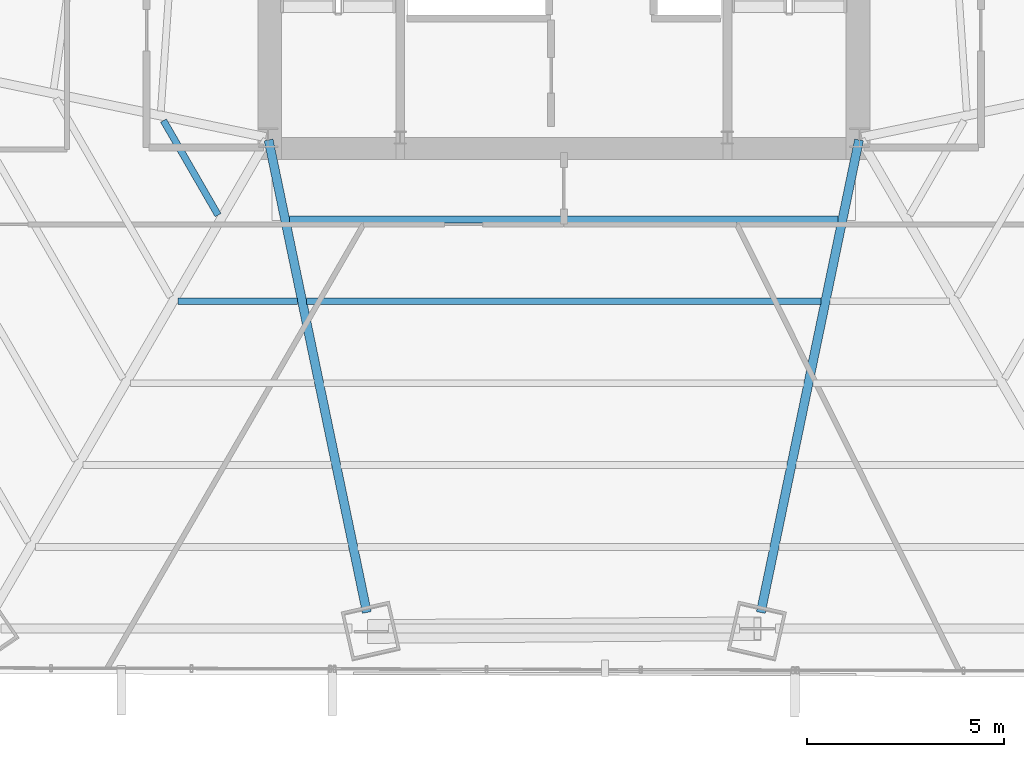
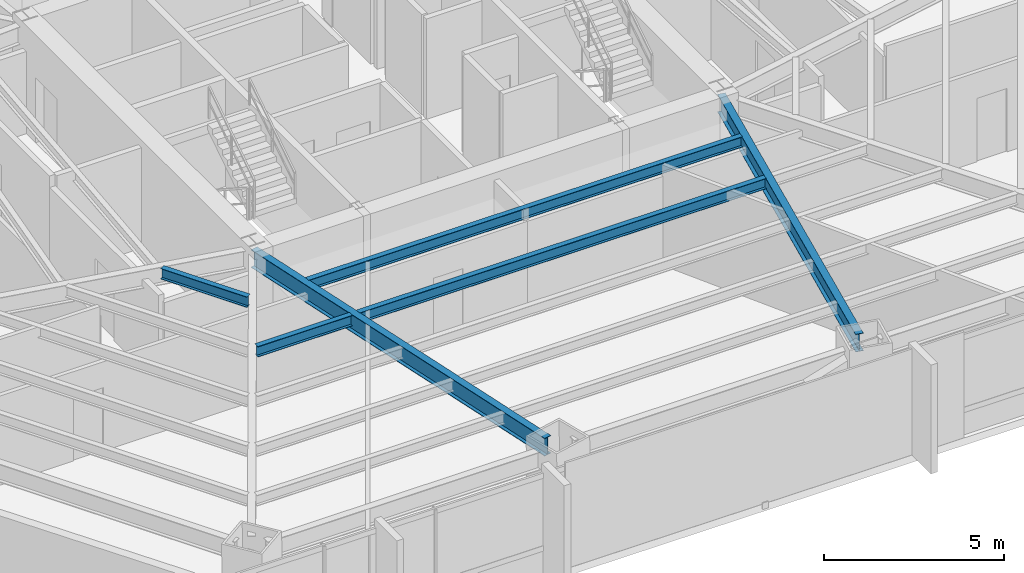
# One storey, part 7 of 29: 6 beams.
"""IFC4 building model written with IfcOpenShell, lengths in metres."""

from ifc_helpers import new_model, si_unit, direction, frame, origin, origin_2d, place, context, subcontext, project, spatial, i_section, extrude, source, transform, mapped, material, material_profile, profile_set, type_object, type_shapes, element, save


model = new_model("IFC4")

# Units and contexts
model_context = context("Model", 3, precision=1e-05, world=origin(), true_north=direction((0.0, 1.0)))
body_context = subcontext(model_context, "Body", "Model", "MODEL_VIEW")
ifc_project = project(units=[si_unit("LENGTHUNIT", "METRE"), si_unit("AREAUNIT", "SQUARE_METRE"), si_unit("VOLUMEUNIT", "CUBIC_METRE"), si_unit("PLANEANGLEUNIT", "RADIAN"), si_unit("MASSUNIT", "GRAM", prefix="KILO")], contexts=[model_context])

# Site, building, storey
site_placement = place(None, origin())
site = spatial("IfcSite", under=ifc_project, at=site_placement, CompositionType="ELEMENT")
building_placement = place(site_placement, origin())
building = spatial("IfcBuilding", under=site, at=building_placement, Name="Caelisora Broadcast Tower", CompositionType="ELEMENT")
storey_placement = place(building_placement, frame((0.0, 0.0, 31.25)))
storey = spatial("IfcBuildingStorey", under=building, at=storey_placement, Name="L07", CompositionType="ELEMENT", Elevation=31.25)

# Beams
ifc_material = material(Name="Steel Grade 350 (AS/NZS 3679.1)", Category="steel")
ifc_material_profile_1 = material_profile(ifc_material, i_section(OverallWidth=0.22802734375, OverallDepth=0.602294921875, WebThickness=0.010498046875, FlangeThickness=0.014892578125, at=origin_2d()), Name="Steel Grade 350 (AS/NZS 3679.1)")
ifc_profile_set_1 = profile_set([ifc_material_profile_1], Name="Steel Grade 350 (AS/NZS 3679.1)")
beam_type_1 = type_object("IfcBeamType", Name="PG04", PredefinedType="BEAM", material=ifc_profile_set_1)
shared_shape_1 = source(origin(), body_context, "Body", "SweptSolid", [
    extrude(i_section(OverallWidth=0.22802734375, OverallDepth=0.602294921875, WebThickness=0.010498046875, FlangeThickness=0.014892578125, at=origin_2d()), origin(), (0.0, 0.0, 1.0), 12.241943359375),
])
type_shapes(beam_type_1, [shared_shape_1])
for number, where, z_axis, x_axis, name in (
    (1, (30.51220703125, 17.34130859375, 3.098876953125), (0.203577546382, -0.979058824897, 0.0), (0.979058824897, 0.203577546382, 0.0), "L07 beam PG04"),
    (2, (45.48779296875, 17.34130859375, 3.098876953125), (-0.203577546382, -0.979058824897, 0.0), (0.979058824897, -0.203577546382, 0.0), "L07 beam PG04"),
):
    element("IfcBeam", number, at=place(storey_placement, frame(where, z_axis=z_axis, x_axis=x_axis)), inside=storey, type_object=beam_type_1, Name=name, PredefinedType="BEAM", context=body_context, shape_type="MappedRepresentation", body=[
        mapped(shared_shape_1, transform((0.0, 0.0, 0.0), scale=1.0)),
    ])
ifc_material_profile_2 = material_profile(ifc_material, i_section(OverallWidth=0.172119140625, OverallDepth=0.358642578125, WebThickness=0.008056640625, FlangeThickness=0.012939453125, at=origin_2d()), Name="Steel Grade 350 (AS/NZS 3679.1)")
ifc_profile_set_2 = profile_set([ifc_material_profile_2], Name="Steel Grade 350 (AS/NZS 3679.1)")
beam_type_2 = type_object("IfcBeamType", Name="SB02", PredefinedType="JOIST", material=ifc_profile_set_2)
shared_shape_2 = source(origin(), body_context, "Body", "SweptSolid", [
    extrude(i_section(OverallWidth=0.172119140625, OverallDepth=0.358642578125, WebThickness=0.008056640625, FlangeThickness=0.012939453125, at=origin_2d()), origin(), (0.0, 0.0, 1.0), 2.767822265625),
])
beam_1_placement = place(storey_placement, frame((27.8466796875, 17.832275390625, 3.220703125), z_axis=(0.500038041997, -0.866003439113, 0.0), x_axis=(0.866003439113, 0.500038041997, 0.0)))
element("IfcBeam", 3, at=beam_1_placement, inside=storey, type_object=beam_type_2, Name="L07 beam SB02", PredefinedType="JOIST", context=body_context, shape_type="MappedRepresentation", body=[
    mapped(shared_shape_2, transform((0.0, 0.0, 0.0), scale=1.0)),
])
shared_shape_3 = source(origin(), body_context, "Body", "SweptSolid", [
    extrude(i_section(OverallWidth=0.172119140625, OverallDepth=0.358642578125, WebThickness=0.008056640625, FlangeThickness=0.012939453125, at=origin_2d()), origin(), (0.0, 0.0, 1.0), 3.031494140625),
])
beam_2_placement = place(storey_placement, frame((28.218505859375, 13.248291015625, 3.220703125), z_axis=(1.0, 0.0, 0.0), x_axis=(0.0, 1.0, 0.0)))
element("IfcBeam", 4, at=beam_2_placement, inside=storey, type_object=beam_type_2, Name="L07 beam SB02", PredefinedType="JOIST", context=body_context, shape_type="MappedRepresentation", body=[
    mapped(shared_shape_3, transform((0.0, 0.0, 0.0), scale=1.0)),
])
shared_shape_4 = source(origin(), body_context, "Body", "SweptSolid", [
    extrude(i_section(OverallWidth=0.172119140625, OverallDepth=0.358642578125, WebThickness=0.008056640625, FlangeThickness=0.012939453125, at=origin_2d()), origin(), (0.0, 0.0, 1.0), 13.91015625),
])
beam_3_placement = place(storey_placement, frame((31.044921875, 15.32421875, 3.220703125), z_axis=(1.0, 0.0, 0.0), x_axis=(0.0, 1.0, 0.0)))
element("IfcBeam", 5, at=beam_3_placement, inside=storey, type_object=beam_type_2, Name="L07 beam SB02", PredefinedType="JOIST", context=body_context, shape_type="MappedRepresentation", body=[
    mapped(shared_shape_4, transform((0.0, 0.0, 0.0), scale=1.0)),
])
shared_shape_5 = source(origin(), body_context, "Body", "SweptSolid", [
    extrude(i_section(OverallWidth=0.172119140625, OverallDepth=0.358642578125, WebThickness=0.008056640625, FlangeThickness=0.012939453125, at=origin_2d()), origin(), (0.0, 0.0, 1.0), 13.04638671875),
])
type_shapes(beam_type_2, [shared_shape_2, shared_shape_3, shared_shape_4, shared_shape_5])
beam_4_placement = place(storey_placement, frame((31.476806640625, 13.248291015625, 3.220703125), z_axis=(1.0, 0.0, 0.0), x_axis=(0.0, 1.0, 0.0)))
element("IfcBeam", 6, at=beam_4_placement, inside=storey, type_object=beam_type_2, Name="L07 beam SB02", PredefinedType="JOIST", context=body_context, shape_type="MappedRepresentation", body=[
    mapped(shared_shape_5, transform((0.0, 0.0, 0.0), scale=1.0)),
])

save(model, "model.ifc")
